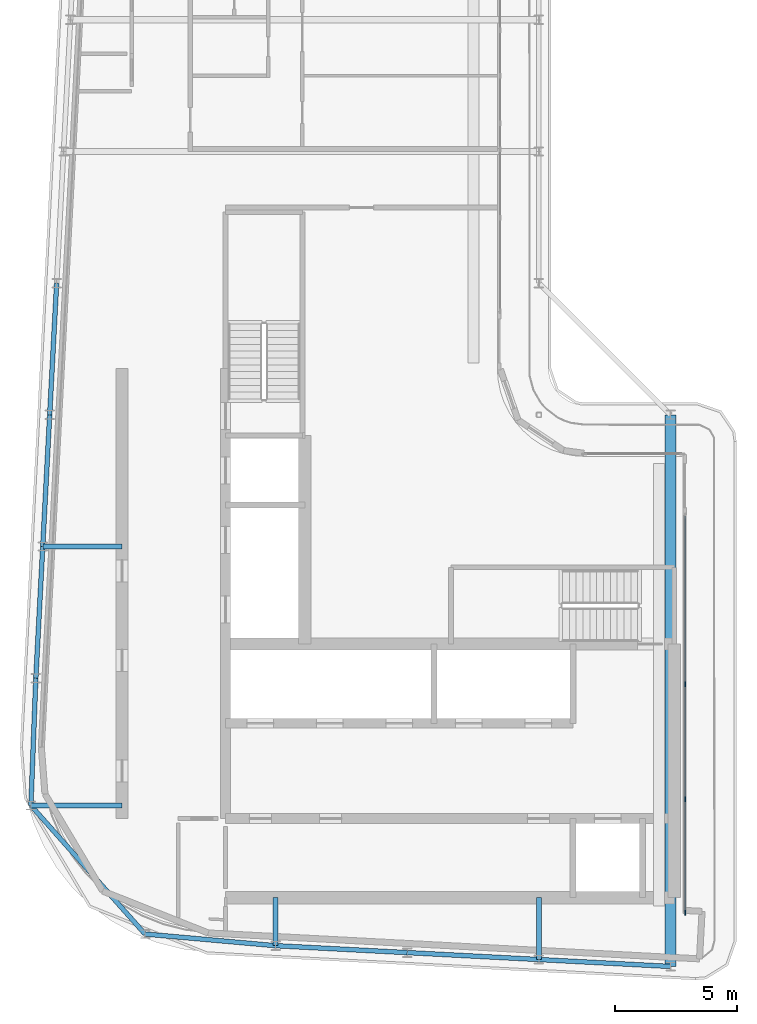
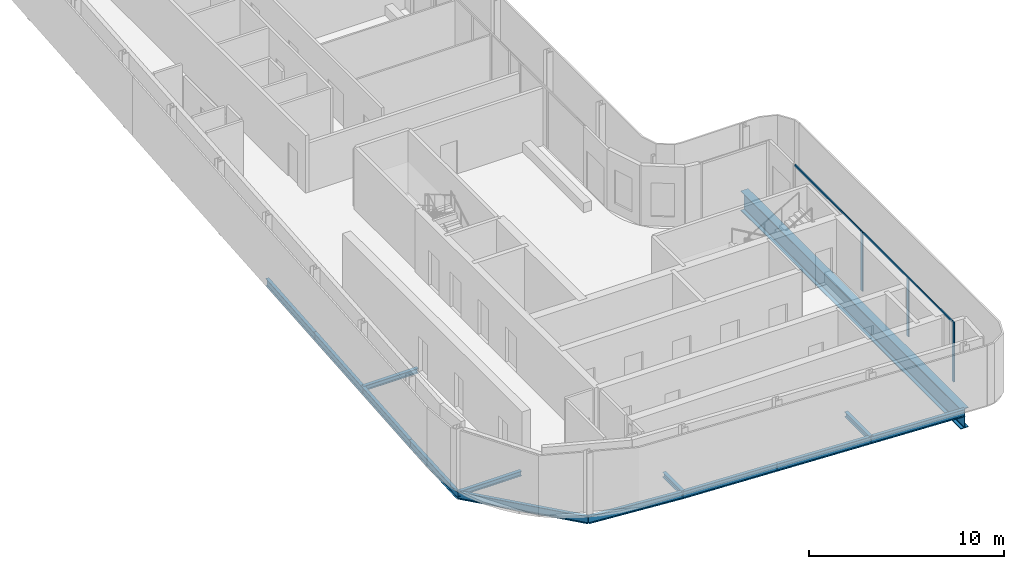
# One storey, part 4 of 18: 14 beams, 5 members, 2 elements without a shape of their own.
"""IFC4 building model written with IfcOpenShell, lengths in metres."""

from ifc_helpers import new_model, si_unit, direction, frame, origin, origin_2d, place, context, subcontext, project, spatial, rectangle, i_section, extrude, material, layer, layer_set, material_profile, profile_set, type_object, element, aggregate, save


model = new_model("IFC4")

# Units and contexts
model_context = context("Model", 3, precision=1e-05, world=origin(), true_north=direction((0.0, 1.0)))
body_context = subcontext(model_context, "Body", "Model", "MODEL_VIEW")
ifc_project = project(units=[si_unit("LENGTHUNIT", "METRE"), si_unit("AREAUNIT", "SQUARE_METRE"), si_unit("VOLUMEUNIT", "CUBIC_METRE"), si_unit("PLANEANGLEUNIT", "RADIAN"), si_unit("MASSUNIT", "GRAM", prefix="KILO")], contexts=[model_context])

# Site, building, storey
site_placement = place(None, origin())
site = spatial("IfcSite", under=ifc_project, at=site_placement, CompositionType="ELEMENT")
building_placement = place(site_placement, origin())
building = spatial("IfcBuilding", under=site, at=building_placement, Name="Kheshtan School and Residences Tower", CompositionType="ELEMENT")
storey_placement = place(building_placement, frame((0.0, 0.0, 385.10009765625)))
storey = spatial("IfcBuildingStorey", under=building, at=storey_placement, Name="L91", CompositionType="ELEMENT", Elevation=385.10009765625)

# Beams
ifc_material_1 = material(Name="Steel ASTM A992 Grade 50", Category="steel")
ifc_material_profile_1 = material_profile(ifc_material_1, i_section(OverallWidth=0.202880859375, OverallDepth=0.302978515625, WebThickness=0.007568359375, FlangeThickness=0.01318359375, FilletRadius=0.009033203125, at=origin_2d()), Name="W310x60")
ifc_profile_set_1 = profile_set([ifc_material_profile_1], Name="Steel ASTM A992 Grade 50")
beam_type_1 = type_object("IfcBeamType", Name="Beam FB1 W310x60 ASTM A992 Grade 50", PredefinedType="BEAM", material=ifc_profile_set_1)
beam_1_placement = place(storey_placement, frame((47.60009765625, 23.263916015625, -0.301513671875), z_axis=(0.0, 1.0, 0.0), x_axis=(-1.0, 0.0, 0.0)))
element("IfcBeam", 1, at=beam_1_placement, inside=storey, type_object=beam_type_1, Name="Floor beam C020", PredefinedType="BEAM", context=body_context, shape_type="SweptSolid", body=[
    extrude(i_section(OverallWidth=0.202880859375, OverallDepth=0.302978515625, WebThickness=0.007568359375, FlangeThickness=0.01318359375, FilletRadius=0.009033203125, at=origin_2d()), origin(), (0.0, 0.0, 1.0), 2.5361328125),
])
beam_2_placement = place(storey_placement, frame((36.800048828125, 23.83203125, -0.301513671875), z_axis=(0.0, 1.0, 0.0), x_axis=(-1.0, 0.0, 0.0)))
element("IfcBeam", 2, at=beam_2_placement, inside=storey, type_object=beam_type_1, Name="Floor beam C022", PredefinedType="BEAM", context=body_context, shape_type="SweptSolid", body=[
    extrude(i_section(OverallWidth=0.202880859375, OverallDepth=0.302978515625, WebThickness=0.007568359375, FlangeThickness=0.01318359375, FilletRadius=0.009033203125, at=origin_2d()), origin(), (0.0, 0.0, 1.0), 1.968017578125),
])
beam_3_placement = place(storey_placement, frame((26.76708984375, 29.58203125, -0.301513671875), z_axis=(1.0, 0.0, 0.0), x_axis=(0.0, 1.0, 0.0)))
element("IfcBeam", 3, at=beam_3_placement, inside=storey, type_object=beam_type_1, Name="Floor beam C048", PredefinedType="BEAM", context=body_context, shape_type="SweptSolid", body=[
    extrude(i_section(OverallWidth=0.202880859375, OverallDepth=0.302978515625, WebThickness=0.007568359375, FlangeThickness=0.01318359375, FilletRadius=0.009033203125, at=origin_2d()), origin(), (0.0, 0.0, 1.0), 3.73291015625),
])
beam_4_placement = place(storey_placement, frame((27.2529296875, 40.199951171875, -0.301513671875), z_axis=(1.0, 0.0, 0.0), x_axis=(0.0, 1.0, 0.0)))
element("IfcBeam", 4, at=beam_4_placement, inside=storey, type_object=beam_type_1, Name="Floor beam C056", PredefinedType="BEAM", context=body_context, shape_type="SweptSolid", body=[
    extrude(i_section(OverallWidth=0.202880859375, OverallDepth=0.302978515625, WebThickness=0.007568359375, FlangeThickness=0.01318359375, FilletRadius=0.009033203125, at=origin_2d()), origin(), (0.0, 0.0, 1.0), 3.2470703125),
])
ifc_material_profile_2 = material_profile(ifc_material_1, i_section(OverallWidth=0.18994140625, OverallDepth=0.45703125, WebThickness=0.009033203125, FlangeThickness=0.014404296875, FilletRadius=0.01318359375, at=origin_2d()), Name="W460x74")
ifc_profile_set_2 = profile_set([ifc_material_profile_2], Name="Steel ASTM A992 Grade 50")
beam_type_2 = type_object("IfcBeamType", Name="Beam SP4 W460x74 ASTM A992 Grade 50", PredefinedType="BEAM", material=ifc_profile_set_2)
beam_5_placement = place(storey_placement, frame((53.0, 22.97998046875, -0.378662109375), z_axis=(-0.998620447272, 0.05250906864, 0.0), x_axis=(-0.05250906864, -0.998620447272, 0.0)))
element("IfcBeam", 5, at=beam_5_placement, inside=storey, type_object=beam_type_2, Name="Spandrel beam C019-C020", PredefinedType="BEAM", context=body_context, shape_type="SweptSolid", body=[
    extrude(i_section(OverallWidth=0.18994140625, OverallDepth=0.45703125, WebThickness=0.009033203125, FlangeThickness=0.014404296875, FilletRadius=0.01318359375, at=origin_2d()), origin(), (0.0, 0.0, 1.0), 5.407470703125),
])
beam_6_placement = place(storey_placement, frame((47.60009765625, 23.263916015625, -0.378662109375), z_axis=(-0.998618203458, 0.052551724256, 0.0), x_axis=(-0.052551724256, -0.998618203458, 0.0)))
element("IfcBeam", 6, at=beam_6_placement, inside=storey, type_object=beam_type_2, Name="Spandrel beam C020-C021", PredefinedType="BEAM", context=body_context, shape_type="SweptSolid", body=[
    extrude(i_section(OverallWidth=0.18994140625, OverallDepth=0.45703125, WebThickness=0.009033203125, FlangeThickness=0.014404296875, FilletRadius=0.01318359375, at=origin_2d()), origin(), (0.0, 0.0, 1.0), 5.40771484375),
])
beam_7_placement = place(storey_placement, frame((42.199951171875, 23.548095703125, -0.378662109375), z_axis=(-0.998620447272, 0.05250906864, 0.0), x_axis=(-0.05250906864, -0.998620447272, 0.0)))
element("IfcBeam", 7, at=beam_7_placement, inside=storey, type_object=beam_type_2, Name="Spandrel beam C021-C022", PredefinedType="BEAM", context=body_context, shape_type="SweptSolid", body=[
    extrude(i_section(OverallWidth=0.18994140625, OverallDepth=0.45703125, WebThickness=0.009033203125, FlangeThickness=0.014404296875, FilletRadius=0.01318359375, at=origin_2d()), origin(), (0.0, 0.0, 1.0), 5.407470703125),
])
beam_8_placement = place(storey_placement, frame((36.800048828125, 23.83203125, -0.378662109375), z_axis=(-0.996036411806, 0.088946424077, 0.0), x_axis=(-0.088946424077, -0.996036411806, 0.0)))
element("IfcBeam", 8, at=beam_8_placement, inside=storey, type_object=beam_type_2, Name="Spandrel beam C022-C034", PredefinedType="BEAM", context=body_context, shape_type="SweptSolid", body=[
    extrude(i_section(OverallWidth=0.18994140625, OverallDepth=0.45703125, WebThickness=0.009033203125, FlangeThickness=0.014404296875, FilletRadius=0.01318359375, at=origin_2d()), origin(), (0.0, 0.0, 1.0), 5.374267578125),
])
beam_9_placement = place(storey_placement, frame((31.447021484375, 24.31005859375, -0.378662109375), z_axis=(-0.663867136248, 0.747850536812, 0.0), x_axis=(-0.747850536812, -0.663867136248, 0.0)))
element("IfcBeam", 9, at=beam_9_placement, inside=storey, type_object=beam_type_2, Name="Spandrel beam C034-C048", PredefinedType="BEAM", context=body_context, shape_type="SweptSolid", body=[
    extrude(i_section(OverallWidth=0.18994140625, OverallDepth=0.45703125, WebThickness=0.009033203125, FlangeThickness=0.014404296875, FilletRadius=0.01318359375, at=origin_2d()), origin(), (0.0, 0.0, 1.0), 7.049560546875),
])
beam_10_placement = place(storey_placement, frame((26.76708984375, 29.58203125, -0.378662109375), z_axis=(0.038664745323, 0.999252239161, 0.0), x_axis=(-0.999252239161, 0.038664745323, 0.0)))
element("IfcBeam", 10, at=beam_10_placement, inside=storey, type_object=beam_type_2, Name="Spandrel beam C048-C052", PredefinedType="BEAM", context=body_context, shape_type="SweptSolid", body=[
    extrude(i_section(OverallWidth=0.18994140625, OverallDepth=0.45703125, WebThickness=0.009033203125, FlangeThickness=0.014404296875, FilletRadius=0.01318359375, at=origin_2d()), origin(), (0.0, 0.0, 1.0), 5.221923828125),
])
beam_11_placement = place(storey_placement, frame((26.968994140625, 34.800048828125, -0.378662109375), z_axis=(0.05250906864, 0.998620447272, 0.0), x_axis=(-0.998620447272, 0.05250906864, 0.0)))
element("IfcBeam", 11, at=beam_11_placement, inside=storey, type_object=beam_type_2, Name="Spandrel beam C052-C056", PredefinedType="BEAM", context=body_context, shape_type="SweptSolid", body=[
    extrude(i_section(OverallWidth=0.18994140625, OverallDepth=0.45703125, WebThickness=0.009033203125, FlangeThickness=0.014404296875, FilletRadius=0.01318359375, at=origin_2d()), origin(), (0.0, 0.0, 1.0), 5.407470703125),
])
beam_12_placement = place(storey_placement, frame((27.2529296875, 40.199951171875, -0.378662109375), z_axis=(0.052551724256, 0.998618203458, 0.0), x_axis=(-0.998618203458, 0.052551724256, 0.0)))
element("IfcBeam", 12, at=beam_12_placement, inside=storey, type_object=beam_type_2, Name="Spandrel beam C056-C059", PredefinedType="BEAM", context=body_context, shape_type="SweptSolid", body=[
    extrude(i_section(OverallWidth=0.18994140625, OverallDepth=0.45703125, WebThickness=0.009033203125, FlangeThickness=0.014404296875, FilletRadius=0.01318359375, at=origin_2d()), origin(), (0.0, 0.0, 1.0), 5.40771484375),
])
beam_13_placement = place(storey_placement, frame((27.537109375, 45.60009765625, -0.378662109375), z_axis=(0.052689166816, 0.998610961136, 0.0), x_axis=(-0.998610961136, 0.052689166816, 0.0)))
element("IfcBeam", 13, at=beam_13_placement, inside=storey, type_object=beam_type_2, Name="Spandrel beam C059-C078", PredefinedType="BEAM", context=body_context, shape_type="SweptSolid", body=[
    extrude(i_section(OverallWidth=0.18994140625, OverallDepth=0.45703125, WebThickness=0.009033203125, FlangeThickness=0.014404296875, FilletRadius=0.01318359375, at=origin_2d()), origin(), (0.0, 0.0, 1.0), 5.407470703125),
])

# Curtain wall, member
ifc_material_2 = material(Name="Clear low-e glass in thermally broken aluminium frame", Category="aluminium")
ifc_layer = layer(ifc_material_2, 0.199951171875)
ifc_layer_set = layer_set([ifc_layer], Name="Curtain wall CW-L")
curtain_wall_type = type_object("IfcCurtainWallType", Name="Curtain wall CW-L", PredefinedType="NOTDEFINED", material=ifc_layer_set)
curtain_wall_1_placement = place(storey_placement, origin())
curtain_wall_1 = element("IfcCurtainWall", 14, at=curtain_wall_1_placement, inside=storey, type_object=curtain_wall_type, Name="Curtain wall CWL13h", PredefinedType="NOTDEFINED")
ifc_material_3 = material(Name="Thermally broken aluminium, dark bronze anodised", Category="aluminium")
ifc_material_profile_3 = material_profile(ifc_material_3, rectangle(XDim=0.06005859375, YDim=0.199951171875, at=origin_2d()), Name="CW-L mullion 60x200")
ifc_profile_set_3 = profile_set([ifc_material_profile_3], Name="Thermally broken aluminium, dark bronze anodised")
member_type_1 = type_object("IfcMemberType", Name="CW-L mullion 60x200", PredefinedType="MULLION", material=ifc_profile_set_3)
member_1_placement = place(storey_placement, frame((53.60009765625, 34.55810546875, 0.0), z_axis=(0.0, 0.0, 1.0), x_axis=(1.0, 0.0, 0.0)))
member_1 = element("IfcMember", 15, at=member_1_placement, type_object=member_type_1, Name="CWL13h mullion 2", PredefinedType="MULLION", context=body_context, shape_type="SweptSolid", body=[
    extrude(rectangle(XDim=0.06005859375, YDim=0.199951171875, at=origin_2d()), origin(), (0.0, 0.0, 1.0), 3.75),
])

# Curtain wall, members
curtain_wall_2_placement = place(storey_placement, origin())
curtain_wall_2 = element("IfcCurtainWall", 16, at=curtain_wall_2_placement, inside=storey, type_object=curtain_wall_type, Name="Curtain wall CWL13i", PredefinedType="NOTDEFINED")
member_2_placement = place(storey_placement, frame((53.60009765625, 29.842041015625, 0.0), z_axis=(0.0, 0.0, 1.0), x_axis=(1.0, 0.0, 0.0)))
member_2 = element("IfcMember", 17, at=member_2_placement, type_object=member_type_1, Name="CWL13i mullion 2", PredefinedType="MULLION", context=body_context, shape_type="SweptSolid", body=[
    extrude(rectangle(XDim=0.06005859375, YDim=0.199951171875, at=origin_2d()), origin(), (0.0, 0.0, 1.0), 3.6298828125),
])
member_3_placement = place(storey_placement, frame((53.60009765625, 25.18603515625, 0.0), z_axis=(0.0, 0.0, 1.0), x_axis=(1.0, 0.0, 0.0)))
member_3 = element("IfcMember", 18, at=member_3_placement, type_object=member_type_1, Name="CWL13i mullion 3", PredefinedType="MULLION", context=body_context, shape_type="SweptSolid", body=[
    extrude(rectangle(XDim=0.06005859375, YDim=0.199951171875, at=origin_2d()), origin(), (0.0, 0.0, 1.0), 3.75),
])

# Member
ifc_material_profile_4 = material_profile(ifc_material_3, rectangle(XDim=0.06005859375, YDim=0.1201171875, at=origin_2d()), Name="CW-L transom 60x120")
ifc_profile_set_4 = profile_set([ifc_material_profile_4], Name="Thermally broken aluminium, dark bronze anodised")
member_type_2 = type_object("IfcMemberType", Name="CW-L transom 60x120", PredefinedType="USERDEFINED", material=ifc_profile_set_4)
member_4_placement = place(storey_placement, frame((53.60009765625, 41.43994140625, 3.68994140625), z_axis=(0.0, -1.0, 0.0), x_axis=(1.0, 0.0, 0.0)))
member_4 = element("IfcMember", 19, at=member_4_placement, type_object=member_type_2, Name="CWL13h transom 1", ObjectType="TRANSOM", PredefinedType="USERDEFINED", context=body_context, shape_type="SweptSolid", body=[
    extrude(rectangle(XDim=0.06005859375, YDim=0.1201171875, at=origin_2d()), origin(), (0.0, 0.0, 1.0), 6.85205078125),
])

aggregate(curtain_wall_1, [member_1, member_4])

member_5_placement = place(storey_placement, frame((53.60009765625, 34.528076171875, 3.68994140625), z_axis=(0.0, -1.0, 0.0), x_axis=(1.0, 0.0, 0.0)))
member_5 = element("IfcMember", 20, at=member_5_placement, type_object=member_type_2, Name="CWL13i transom 1", ObjectType="TRANSOM", PredefinedType="USERDEFINED", context=body_context, shape_type="SweptSolid", body=[
    extrude(rectangle(XDim=0.06005859375, YDim=0.1201171875, at=origin_2d()), origin(), (0.0, 0.0, 1.0), 9.31201171875),
])

aggregate(curtain_wall_2, [member_2, member_3, member_5])

# Beam
ifc_material_profile_5 = material_profile(ifc_material_1, i_section(OverallWidth=0.449951171875, OverallDepth=1.25, WebThickness=0.02490234375, FlangeThickness=0.044921875, FilletRadius=0.03759765625, at=origin_2d()), Name="WWF1250x546")
ifc_profile_set_5 = profile_set([ifc_material_profile_5], Name="Steel ASTM A992 Grade 50")
beam_type_3 = type_object("IfcBeamType", Name="Transfer girder TG4 WWF1250x546 ASTM A992 Grade 50", PredefinedType="BEAM", material=ifc_profile_set_5)
beam_14_placement = place(storey_placement, frame((53.0, 45.60009765625, -0.775146484375), z_axis=(0.0, -1.0, 0.0), x_axis=(1.0, 0.0, 0.0)))
element("IfcBeam", 21, at=beam_14_placement, inside=storey, type_object=beam_type_3, Name="Transfer girder C061-C019", PredefinedType="BEAM", context=body_context, shape_type="SweptSolid", body=[
    extrude(i_section(OverallWidth=0.449951171875, OverallDepth=1.25, WebThickness=0.02490234375, FlangeThickness=0.044921875, FilletRadius=0.03759765625, at=origin_2d()), origin(), (0.0, 0.0, 1.0), 22.6201171875),
])

save(model, "model.ifc")
